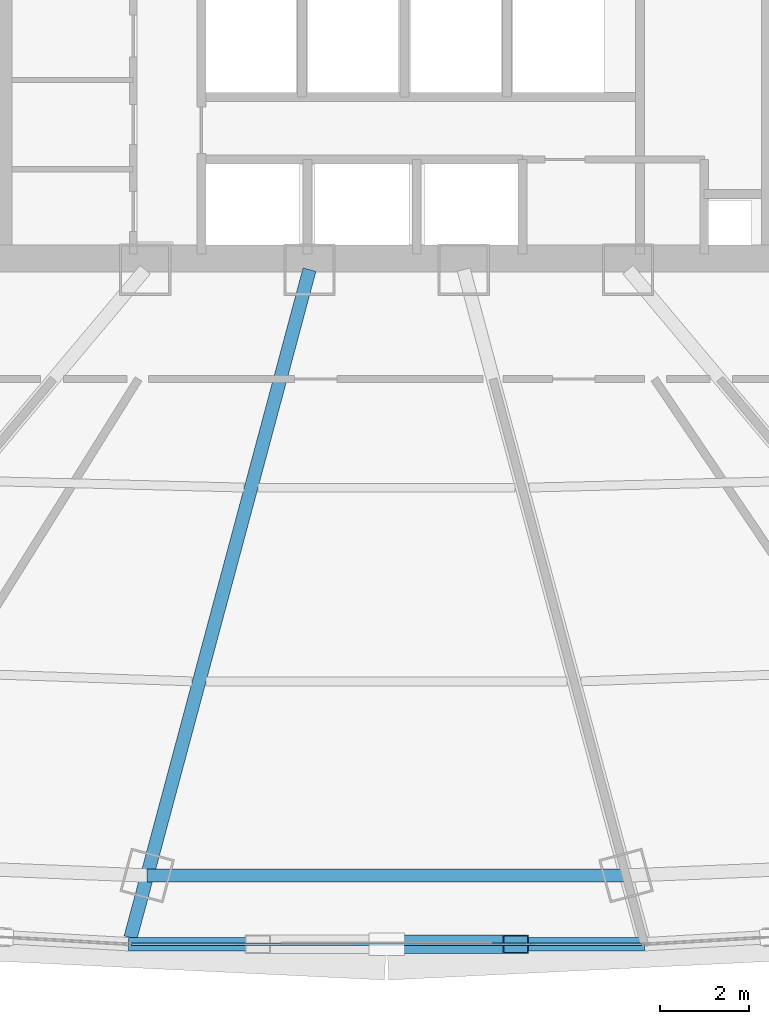
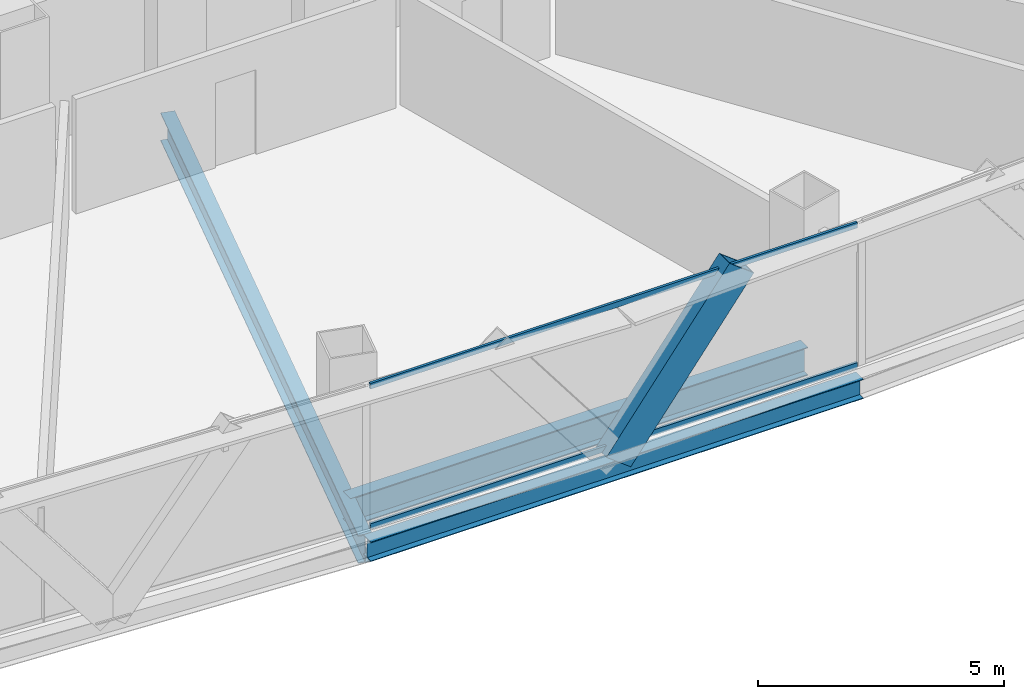
# One storey, part 9 of 36: 3 beams, 3 members, 1 element without a shape of its own.
"""IFC4 building model written with IfcOpenShell, lengths in metres."""

from ifc_helpers import new_model, si_unit, direction, frame, origin, origin_2d, place, context, subcontext, project, spatial, hollow_rectangle, i_section, extrude, source, transform, mapped, material, layer, layer_set, material_profile, profile_set, type_object, element, aggregate, save


model = new_model("IFC4")

# Units and contexts
model_context = context("Model", 3, precision=1e-05, world=origin(), true_north=direction((0.0, 1.0)))
body_context = subcontext(model_context, "Body", "Model", "MODEL_VIEW")
ifc_project = project(units=[si_unit("LENGTHUNIT", "METRE"), si_unit("AREAUNIT", "SQUARE_METRE"), si_unit("VOLUMEUNIT", "CUBIC_METRE"), si_unit("PLANEANGLEUNIT", "RADIAN"), si_unit("MASSUNIT", "GRAM", prefix="KILO"), si_unit("THERMODYNAMICTEMPERATUREUNIT", "KELVIN"), si_unit("POWERUNIT", "WATT")], contexts=[model_context])

# Site, building, storey
site_placement = place(None, origin())
site = spatial("IfcSite", under=ifc_project, at=site_placement, CompositionType="ELEMENT")
building_placement = place(site_placement, origin())
building = spatial("IfcBuilding", under=site, at=building_placement, Name="Yunzhuo Pagoda Commons", CompositionType="ELEMENT")
storey_placement = place(building_placement, frame((0.0, 0.0, 103.97998046875)))
storey = spatial("IfcBuildingStorey", under=building, at=storey_placement, Name="L26", CompositionType="ELEMENT", Elevation=103.97998046875)

# Beams
ifc_material_1 = material(Name="Structural steel Q355B", Category="steel")
ifc_material_profile_1 = material_profile(ifc_material_1, i_section(OverallWidth=0.300048828125, OverallDepth=0.699951171875, WebThickness=0.012939453125, FlangeThickness=0.02392578125, at=origin_2d()), Name="Structural steel Q355B")
ifc_profile_set_1 = profile_set([ifc_material_profile_1], Name="Structural steel Q355B")
beam_type_1 = type_object("IfcBeamType", Name="B-RG1 Beam HN 700x300x13x24", PredefinedType="BEAM", material=ifc_profile_set_1)
shared_shape_1 = source(origin(), body_context, "Body", "SweptSolid", [
    extrude(i_section(OverallWidth=0.300048828125, OverallDepth=0.699951171875, WebThickness=0.012939453125, FlangeThickness=0.02392578125, at=origin_2d()), origin(), (0.0, 0.0, 1.0), 10.73486328125),
])
beam_1_placement = place(storey_placement, frame((42.632568359375, 13.66845703125, -0.60986328125), z_axis=(1.0, 0.0, 0.0), x_axis=(0.0, 1.0, 0.0)))
element("IfcBeam", 1, at=beam_1_placement, inside=storey, type_object=beam_type_1, Name="L26 column-ring beam 2", PredefinedType="BEAM", context=body_context, shape_type="MappedRepresentation", body=[
    mapped(shared_shape_1, transform((0.0, 0.0, 0.0), scale=1.0)),
])
shared_shape_2 = source(origin(), body_context, "Body", "SweptSolid", [
    extrude(i_section(OverallWidth=0.300048828125, OverallDepth=0.699951171875, WebThickness=0.012939453125, FlangeThickness=0.02392578125, at=origin_2d()), origin(), (0.0, 0.0, 1.0), 15.500732421875),
])
beam_2_placement = place(storey_placement, frame((42.260009765625, 12.277587890625, -0.60986328125), z_axis=(0.258826097019, 0.965923936706, 0.0), x_axis=(-0.965923936706, 0.258826097019, 0.0)))
element("IfcBeam", 2, at=beam_2_placement, inside=storey, type_object=beam_type_1, Name="L26 radial floor girder F1C2", PredefinedType="BEAM", context=body_context, shape_type="MappedRepresentation", body=[
    mapped(shared_shape_2, transform((0.0, 0.0, 0.0), scale=1.0)),
])
ifc_material_profile_2 = material_profile(ifc_material_1, i_section(OverallWidth=0.300048828125, OverallDepth=0.488037109375, WebThickness=0.010986328125, FlangeThickness=0.01806640625, at=origin_2d()), Name="Structural steel Q355B")
ifc_profile_set_2 = profile_set([ifc_material_profile_2], Name="Structural steel Q355B")
beam_type_2 = type_object("IfcBeamType", Name="B-SP1 Beam HM 488x300x11x18", PredefinedType="BEAM", material=ifc_profile_set_2)
shared_shape_3 = source(origin(), body_context, "Body", "SweptSolid", [
    extrude(i_section(OverallWidth=0.300048828125, OverallDepth=0.488037109375, WebThickness=0.010986328125, FlangeThickness=0.01806640625, at=origin_2d()), origin(), (0.0, 0.0, 1.0), 11.560546875),
])
beam_3_placement = place(storey_placement, frame((42.2197265625, 12.1279296875, -0.50390625), z_axis=(1.0, 0.0, 0.0), x_axis=(0.0, 1.0, 0.0)))
element("IfcBeam", 3, at=beam_3_placement, inside=storey, type_object=beam_type_2, Name="L26 facade edge spandrel beam F1.2", PredefinedType="BEAM", context=body_context, shape_type="MappedRepresentation", body=[
    mapped(shared_shape_3, transform((0.0, 0.0, 0.0), scale=1.0)),
])

# Member
ifc_material_2 = material(Name="Structural steel Q420B", Category="steel")
ifc_material_profile_3 = material_profile(ifc_material_2, hollow_rectangle(XDim=0.419921875, YDim=0.719970703125, WallThickness=0.028076171875, at=origin_2d()), Name="Structural steel Q420B")
ifc_profile_set_3 = profile_set([ifc_material_profile_3], Name="Structural steel Q420B")
member_type_1 = type_object("IfcMemberType", Name="M-DL1 Brace BOX 720x420x28", PredefinedType="BRACE", material=ifc_profile_set_3)
shared_shape_4 = source(origin(), body_context, "Body", "SweptSolid", [
    extrude(hollow_rectangle(XDim=0.419921875, YDim=0.719970703125, WallThickness=0.028076171875, at=origin_2d()), origin(), (0.0, 0.0, 1.0), 4.7744140625),
])
member_1_placement = place(storey_placement, frame((48.0, 12.1279296875, -0.260009765625), z_axis=(0.605337356395, 0.0, 0.795969022609), x_axis=(0.0, 1.0, 0.0)))
element("IfcMember", 4, at=member_1_placement, inside=storey, type_object=member_type_1, Name="L26 facade diamond brace F1.2R", PredefinedType="BRACE", context=body_context, shape_type="MappedRepresentation", body=[
    mapped(shared_shape_4, transform((0.0, 0.0, 0.0), scale=1.0)),
])

# Curtain wall, members
ifc_material_3 = material(Name="Anodized aluminium 6063-T6", Category="aluminium")
ifc_layer = layer(ifc_material_3, 0.1650390625)
ifc_layer_set = layer_set([ifc_layer], Name="Anodized aluminium 6063-T6")
curtain_wall_type = type_object("IfcCurtainWallType", Name="CW-LOW Low-Zone Ribbon Curtain Wall", PredefinedType="NOTDEFINED", material=ifc_layer_set)
curtain_wall_placement = place(storey_placement, origin())
curtain_wall = element("IfcCurtainWall", 5, at=curtain_wall_placement, inside=storey, type_object=curtain_wall_type, Name="L26 curtain wall CW-L26-F1B3", PredefinedType="NOTDEFINED")
ifc_material_profile_4 = material_profile(ifc_material_3, hollow_rectangle(XDim=0.06005859375, YDim=0.139892578125, WallThickness=0.00341796875, at=origin_2d()), Name="Anodized aluminium 6063-T6")
ifc_profile_set_4 = profile_set([ifc_material_profile_4], Name="Anodized aluminium 6063-T6")
member_type_2 = type_object("IfcMemberType", Name="CW-LOW-T Transom RHS 140x60x3.5", PredefinedType="USERDEFINED", material=ifc_profile_set_4)
shared_shape_5 = source(origin(), body_context, "Body", "SweptSolid", [
    extrude(hollow_rectangle(XDim=0.06005859375, YDim=0.139892578125, WallThickness=0.00341796875, at=origin_2d()), origin(), (0.0, 0.0, 1.0), 11.43017578125),
])
member_2_placement = place(storey_placement, frame((42.284912109375, 12.1279296875, 0.030029296875), z_axis=(1.0, 0.0, 0.0), x_axis=(0.0, 1.0, 0.0)))
member_2 = element("IfcMember", 6, at=member_2_placement, type_object=member_type_2, Name="CW transom 1.1", ObjectType="TRANSOM", PredefinedType="USERDEFINED", context=body_context, shape_type="MappedRepresentation", body=[
    mapped(shared_shape_5, transform((0.0, 0.0, 0.0), scale=1.0)),
])
member_3_placement = place(storey_placement, frame((42.284912109375, 12.1279296875, 3.510009765625), z_axis=(1.0, 0.0, 0.0), x_axis=(0.0, 1.0, 0.0)))
member_3 = element("IfcMember", 7, at=member_3_placement, type_object=member_type_2, Name="CW transom 1.2", ObjectType="TRANSOM", PredefinedType="USERDEFINED", context=body_context, shape_type="MappedRepresentation", body=[
    mapped(shared_shape_5, transform((0.0, 0.0, 0.0), scale=1.0)),
])
aggregate(curtain_wall, [member_2, member_3])

save(model, "model.ifc")
